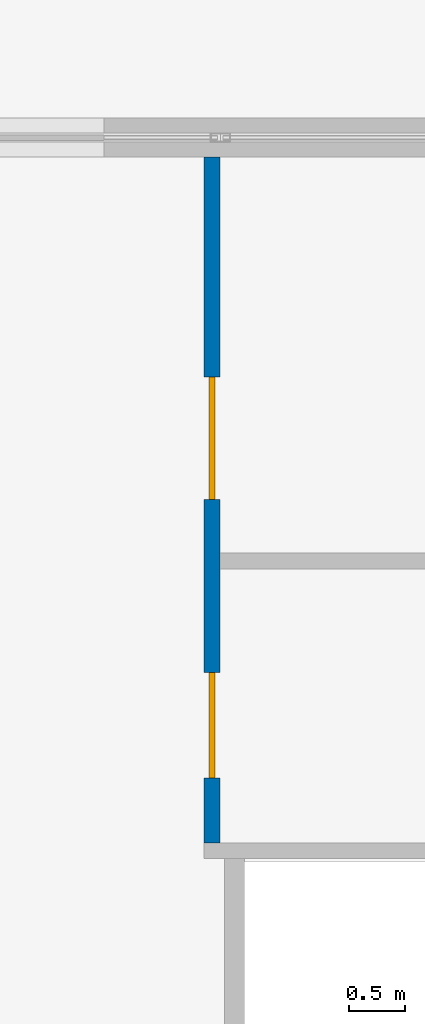
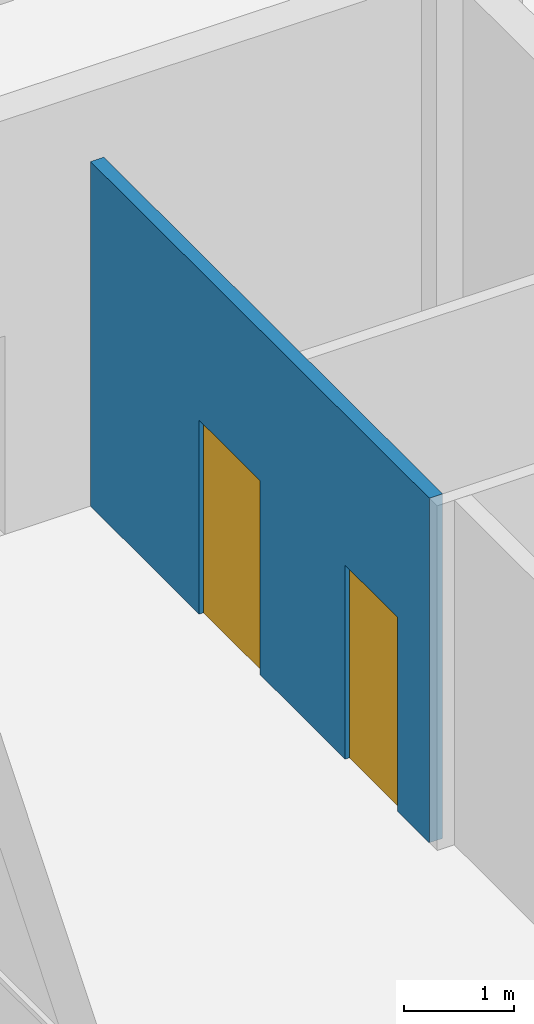
# One storey, part 70 of 94: 2 doors, 1 wall, 2 openings.
"""IFC4 building model written with IfcOpenShell, lengths in metres."""

from ifc_helpers import new_model, si_unit, direction, frame, frame_2d, origin, place, context, subcontext, project, spatial, rectangle, extrude, material, layer, layer_set, type_object, element, fill, save


model = new_model("IFC4")

# Units and contexts
model_context = context("Model", 3, precision=1e-05, world=origin(), true_north=direction((0.0, 1.0)))
body_context = subcontext(model_context, "Body", "Model", "MODEL_VIEW")
ifc_project = project(units=[si_unit("LENGTHUNIT", "METRE"), si_unit("AREAUNIT", "SQUARE_METRE"), si_unit("VOLUMEUNIT", "CUBIC_METRE"), si_unit("PLANEANGLEUNIT", "RADIAN"), si_unit("MASSUNIT", "GRAM", prefix="KILO")], contexts=[model_context])

# Site, building, storey
site_placement = place(None, origin())
site = spatial("IfcSite", under=ifc_project, at=site_placement, CompositionType="ELEMENT")
building_placement = place(site_placement, origin())
building = spatial("IfcBuilding", under=site, at=building_placement, Name="Linyun Crest Stadium", CompositionType="ELEMENT")
storey_placement = place(building_placement, frame((0.0, 0.0, 16.199951171875)))
storey = spatial("IfcBuildingStorey", under=building, at=storey_placement, Name="L04", CompositionType="ELEMENT", Elevation=16.199951171875)

# Wall, openings, doors
ifc_material_1 = material(Name="Moisture-resistant ceramic-tiled wet-room wall")
ifc_layer_1 = layer(ifc_material_1, 0.139892578125)
ifc_layer_set_1 = layer_set([ifc_layer_1], Name="Moisture-resistant ceramic-tiled wet-room wall")
wall_type = type_object("IfcWallType", Name="PW15", PredefinedType="PARTITIONING", material=ifc_layer_set_1)
wall_placement = place(storey_placement, frame((24.14990234375, -79.830078125, 0.0), z_axis=(0.0, 0.0, 1.0), x_axis=(0.0, 1.0, 0.0)))
wall = element("IfcWall", 1, at=wall_placement, inside=storey, type_object=wall_type, Name="Partition PW15 L04 130", PredefinedType="PARTITIONING", context=body_context, shape_type="SweptSolid", body=[
    extrude(rectangle(XDim=6.155029296875, YDim=0.139892578125, at=frame_2d((3.07763671875, 0.0))), origin(), (0.0, 0.0, 1.0), 3.820068359375),
])
opening_1_placement = place(wall_placement, frame((0.580078125, 0.0, 0.0)))
opening_1 = element("IfcOpeningElement", 2, at=opening_1_placement, cuts=wall, Name="Opening D-L04-364", PredefinedType="OPENING", context=body_context, shape_type="SweptSolid", body=[
    extrude(rectangle(XDim=0.949951171875, YDim=2.14990234375, at=frame_2d((0.47509765625, 1.074951171875))), frame((0.0, 0.079833984375, 0.0), z_axis=(0.0, -1.0, 0.0), x_axis=(1.0, 0.0, 0.0)), (0.0, 0.0, 1.0), 0.159912109375),
])
opening_2_placement = place(wall_placement, frame((3.080078125, 0.0, 0.0)))
opening_2 = element("IfcOpeningElement", 3, at=opening_2_placement, cuts=wall, Name="Opening D-L04-365", PredefinedType="OPENING", context=body_context, shape_type="SweptSolid", body=[
    extrude(rectangle(XDim=1.10009765625, YDim=2.14990234375, at=frame_2d((0.550048828125, 1.074951171875))), frame((0.0, 0.079833984375, 0.0), z_axis=(0.0, -1.0, 0.0), x_axis=(1.0, 0.0, 0.0)), (0.0, 0.0, 1.0), 0.159912109375),
])
ifc_material_2 = material(Name="Moisture-resistant laminate leaf")
ifc_layer_2 = layer(ifc_material_2, 0.044921875)
ifc_layer_set_2 = layer_set([ifc_layer_2], Name="Moisture-resistant laminate leaf")
door_type_1 = type_object("IfcDoorType", Name="ID02", OperationType="NOTDEFINED", PredefinedType="DOOR", material=ifc_layer_set_2)
door_1_placement = place(opening_1_placement, origin())
door_1 = element("IfcDoor", 4, at=door_1_placement, inside=storey, type_object=door_type_1, Name="Door D-L04-364", OperationType="SINGLE_SWING_RIGHT", OverallHeight=2.14990234375, OverallWidth=0.949951171875, PredefinedType="DOOR", context=body_context, shape_type="SweptSolid", body=[
    extrude(rectangle(XDim=0.949951171875, YDim=2.14990234375, at=frame_2d((0.47509765625, 1.074951171875))), frame((0.0, 0.02490234375, 0.0), z_axis=(0.0, -1.0, 0.0), x_axis=(1.0, 0.0, 0.0)), (0.0, 0.0, 1.0), 0.050048828125),
])
fill(opening_1, door_1)
ifc_material_3 = material(Name="Moisture-resistant laminate leaf")
ifc_layer_3 = layer(ifc_material_3, 0.044921875)
ifc_layer_set_3 = layer_set([ifc_layer_3], Name="Moisture-resistant laminate leaf")
door_type_2 = type_object("IfcDoorType", Name="ID03", OperationType="NOTDEFINED", PredefinedType="DOOR", material=ifc_layer_set_3)
door_2_placement = place(opening_2_placement, origin())
door_2 = element("IfcDoor", 5, at=door_2_placement, inside=storey, type_object=door_type_2, Name="Door D-L04-365", OperationType="SINGLE_SWING_LEFT", OverallHeight=2.14990234375, OverallWidth=1.10009765625, PredefinedType="DOOR", context=body_context, shape_type="SweptSolid", body=[
    extrude(rectangle(XDim=1.10009765625, YDim=2.14990234375, at=frame_2d((0.550048828125, 1.074951171875))), frame((0.0, 0.02490234375, 0.0), z_axis=(0.0, -1.0, 0.0), x_axis=(1.0, 0.0, 0.0)), (0.0, 0.0, 1.0), 0.050048828125),
])
fill(opening_2, door_2)

save(model, "model.ifc")
